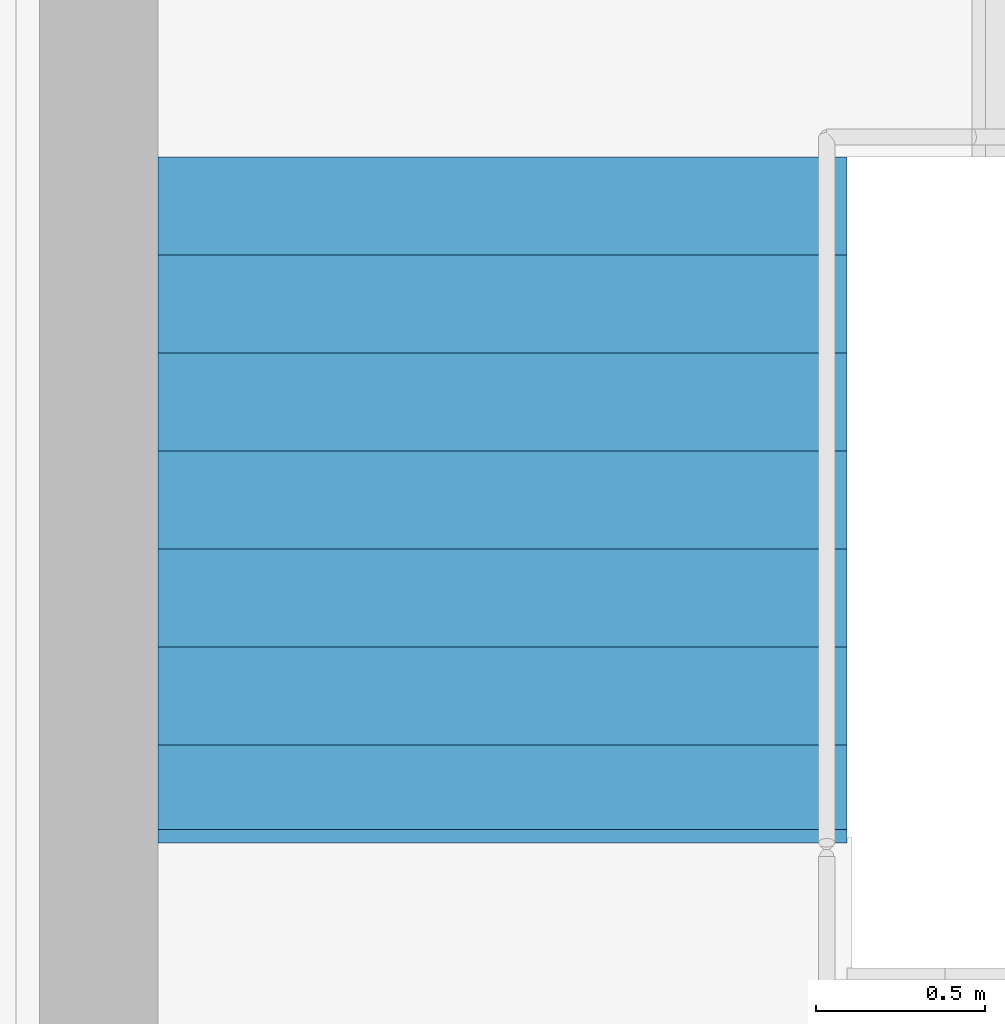
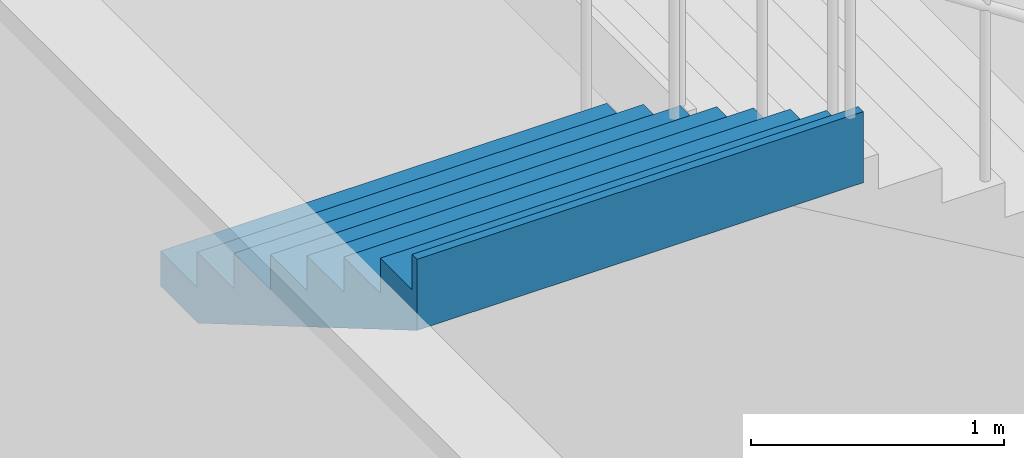
# One storey, part 54 of 74: 1 stair flight, 1 element without a shape of its own.
"""IFC4 building model written with IfcOpenShell, lengths in metres."""

from ifc_helpers import new_model, si_unit, direction, frame, origin, place, context, subcontext, project, spatial, triangles, material, type_object, element, aggregate, save


model = new_model("IFC4")

# Units and contexts
model_context = context("Model", 3, precision=1e-05, world=origin(), true_north=direction((0.0, 1.0)))
body_context = subcontext(model_context, "Body", "Model", "MODEL_VIEW")
ifc_project = project(units=[si_unit("LENGTHUNIT", "METRE"), si_unit("AREAUNIT", "SQUARE_METRE"), si_unit("VOLUMEUNIT", "CUBIC_METRE"), si_unit("PLANEANGLEUNIT", "RADIAN"), si_unit("MASSUNIT", "GRAM", prefix="KILO")], contexts=[model_context])

# Site, building, storey
site_placement = place(None, origin())
site = spatial("IfcSite", under=ifc_project, at=site_placement, CompositionType="ELEMENT")
building_placement = place(site_placement, origin())
building = spatial("IfcBuilding", under=site, at=building_placement, Name="Sillaruma Civic Art Gallery", CompositionType="ELEMENT")
storey_placement = place(building_placement, frame((0.0, 0.0, 5.43994140625)))
storey = spatial("IfcBuildingStorey", under=building, at=storey_placement, Name="L01", CompositionType="ELEMENT", Elevation=5.43994140625)

# Stair, stair flight
ifc_material = material(Name="Concrete H35 (35 MPa)", Category="concrete")
stair_type = type_object("IfcStairType", Name="STR-4F-32", PredefinedType="USERDEFINED", material=ifc_material)
stair_placement = place(storey_placement, origin())
stair = element("IfcStair", 1, at=stair_placement, inside=storey, type_object=stair_type, Name="Protected Exit Stair ST-04 (East Bar) (L01)", ObjectType="THREE_RETURN_STAIR", PredefinedType="USERDEFINED")
stair_flight_type = type_object("IfcStairFlightType", Name="SFL-STR-8", PredefinedType="STRAIGHT", material=ifc_material)
stair_flight_placement = place(storey_placement, frame((99.8798828125, 55.64990234375, 4.080078125), z_axis=(0.0, 0.0, 1.0), x_axis=(0.0, -1.0, 0.0)))
stair_flight = element("IfcStairFlight", 2, at=stair_flight_placement, type_object=stair_flight_type, Name="ST-04 flight 4", NumberOfRisers=8, NumberOfTreads=7, PredefinedType="STRAIGHT", RiserHeight=0.17, TreadLength=0.29, context=body_context, shape_type="Tessellation", body=[
    triangles([(0.0, -1.02001953125, 0.0), (0.29, -1.02001953125, 0.0), (0.296443, -1.02001953125, 0.0), (0.58, -1.02001953125, 0.166223), (0.87, -1.02001953125, 0.336223), (1.16, -1.02001953125, 0.506223), (1.45, -1.02001953125, 0.676223), (1.74, -1.02001953125, 0.846223), (1.990029, -1.02001953125, 0.992792), (2.030029, -1.02001953125, 1.01624), (2.030029, -1.02001953125, 1.36), (1.990029, -1.02001953125, 1.36), (1.990029, -1.02001953125, 1.19), (1.74, -1.02001953125, 1.19), (1.74, -1.02001953125, 1.02), (1.45, -1.02001953125, 1.02), (1.45, -1.02001953125, 0.85), (1.16, -1.02001953125, 0.85), (1.16, -1.02001953125, 0.68), (0.87, -1.02001953125, 0.68), (0.87, -1.02001953125, 0.51), (0.58, -1.02001953125, 0.51), (0.58, -1.02001953125, 0.34), (0.296443, -1.02001953125, 0.34), (0.29, -1.02001953125, 0.34), (0.29, -1.02001953125, 0.17), (0.0, -1.02001953125, 0.17), (0.0, -0.05, 0.0), (0.29, -0.05, 0.0), (0.296443, -0.05, 0.0), (0.58, -0.05, 0.166223), (0.87, -0.05, 0.336223), (1.16, -0.05, 0.506223), (1.45, -0.05, 0.676223), (1.74, -0.05, 0.846223), (1.990029, -0.05, 0.992792), (2.030029, -0.05, 1.01624), (2.030029, -0.05, 1.36), (1.990029, -0.05, 1.36), (1.990029, -0.05, 1.19), (1.74, -0.05, 1.19), (1.74, -0.05, 1.02), (1.45, -0.05, 1.02), (1.45, -0.05, 0.85), (1.16, -0.05, 0.85), (1.16, -0.05, 0.68), (0.87, -0.05, 0.68), (0.87, -0.05, 0.51), (0.58, -0.05, 0.51), (0.58, -0.05, 0.34), (0.296443, -0.05, 0.34), (0.29, -0.05, 0.34), (0.29, -0.05, 0.17), (0.0, -0.05, 0.17), (0.0, -0.0375, 0.0), (0.29, -0.0375, 0.0), (0.296443, -0.0375, 0.0), (0.58, -0.0375, 0.166223), (0.87, -0.0375, 0.336223), (1.16, -0.0375, 0.506223), (1.45, -0.0375, 0.676223), (1.74, -0.0375, 0.846223), (1.990029, -0.0375, 0.992792), (2.030029, -0.0375, 1.01624), (2.030029, -0.0375, 1.36), (1.990029, -0.0375, 1.36), (1.990029, -0.0375, 1.19), (1.74, -0.0375, 1.19), (1.74, -0.0375, 1.02), (1.45, -0.0375, 1.02), (1.45, -0.0375, 0.85), (1.16, -0.0375, 0.85), (1.16, -0.0375, 0.68), (0.87, -0.0375, 0.68), (0.87, -0.0375, 0.51), (0.58, -0.0375, 0.51), (0.58, -0.0375, 0.34), (0.296443, -0.0375, 0.34), (0.29, -0.0375, 0.34), (0.29, -0.0375, 0.17), (0.0, -0.0375, 0.17), (0.0, -0.025, 0.0), (0.29, -0.025, 0.0), (0.296443, -0.025, 0.0), (0.58, -0.025, 0.166223), (0.87, -0.025, 0.336223), (1.16, -0.025, 0.506223), (1.45, -0.025, 0.676223), (1.74, -0.025, 0.846223), (1.990029, -0.025, 0.992792), (2.030029, -0.025, 1.01624), (2.030029, -0.025, 1.36), (1.990029, -0.025, 1.36), (1.990029, -0.025, 1.19), (1.74, -0.025, 1.19), (1.74, -0.025, 1.02), (1.45, -0.025, 1.02), (1.45, -0.025, 0.85), (1.16, -0.025, 0.85), (1.16, -0.025, 0.68), (0.87, -0.025, 0.68), (0.87, -0.025, 0.51), (0.58, -0.025, 0.51), (0.58, -0.025, 0.34), (0.296443, -0.025, 0.34), (0.29, -0.025, 0.34), (0.29, -0.025, 0.17), (0.0, -0.025, 0.17), (0.0, -0.0125, 0.0), (0.29, -0.0125, 0.0), (0.296443, -0.0125, 0.0), (0.58, -0.0125, 0.166223), (0.87, -0.0125, 0.336223), (1.16, -0.0125, 0.506223), (1.45, -0.0125, 0.676223), (1.74, -0.0125, 0.846223), (1.990029, -0.0125, 0.992792), (2.030029, -0.0125, 1.01624), (2.030029, -0.0125, 1.36), (1.990029, -0.0125, 1.36), (1.990029, -0.0125, 1.19), (1.74, -0.0125, 1.19), (1.74, -0.0125, 1.02), (1.45, -0.0125, 1.02), (1.45, -0.0125, 0.85), (1.16, -0.0125, 0.85), (1.16, -0.0125, 0.68), (0.87, -0.0125, 0.68), (0.87, -0.0125, 0.51), (0.58, -0.0125, 0.51), (0.58, -0.0125, 0.34), (0.296443, -0.0125, 0.34), (0.29, -0.0125, 0.34), (0.29, -0.0125, 0.17), (0.0, -0.0125, 0.17), (0.0, 0.0, 0.0), (0.29, 0.0, 0.0), (0.296443, 0.0, 0.0), (0.58, 0.0, 0.166223), (0.87, 0.0, 0.336223), (1.16, 0.0, 0.506223), (1.45, 0.0, 0.676223), (1.74, 0.0, 0.846223), (1.990029, 0.0, 0.992792), (2.030029, 0.0, 1.01624), (2.030029, 0.0, 1.36), (1.990029, 0.0, 1.36), (1.990029, 0.0, 1.19), (1.74, 0.0, 1.19), (1.74, 0.0, 1.02), (1.45, 0.0, 1.02), (1.45, 0.0, 0.85), (1.16, 0.0, 0.85), (1.16, 0.0, 0.68), (0.87, 0.0, 0.68), (0.87, 0.0, 0.51), (0.58, 0.0, 0.51), (0.58, 0.0, 0.34), (0.296443, 0.0, 0.34), (0.29, 0.0, 0.34), (0.29, 0.0, 0.17), (0.0, 0.0, 0.17), (0.0, 0.0125, 0.0), (0.29, 0.0125, 0.0), (0.296443, 0.0125, 0.0), (0.58, 0.0125, 0.166223), (0.87, 0.0125, 0.336223), (1.16, 0.0125, 0.506223), (1.45, 0.0125, 0.676223), (1.74, 0.0125, 0.846223), (1.990029, 0.0125, 0.992792), (2.030029, 0.0125, 1.01624), (2.030029, 0.0125, 1.36), (1.990029, 0.0125, 1.36), (1.990029, 0.0125, 1.19), (1.74, 0.0125, 1.19), (1.74, 0.0125, 1.02), (1.45, 0.0125, 1.02), (1.45, 0.0125, 0.85), (1.16, 0.0125, 0.85), (1.16, 0.0125, 0.68), (0.87, 0.0125, 0.68), (0.87, 0.0125, 0.51), (0.58, 0.0125, 0.51), (0.58, 0.0125, 0.34), (0.296443, 0.0125, 0.34), (0.29, 0.0125, 0.34), (0.29, 0.0125, 0.17), (0.0, 0.0125, 0.17), (0.0, 0.025, 0.0), (0.29, 0.025, 0.0), (0.296443, 0.025, 0.0), (0.58, 0.025, 0.166223), (0.87, 0.025, 0.336223), (1.16, 0.025, 0.506223), (1.45, 0.025, 0.676223), (1.74, 0.025, 0.846223), (1.990029, 0.025, 0.992792), (2.030029, 0.025, 1.01624), (2.030029, 0.025, 1.36), (1.990029, 0.025, 1.36), (1.990029, 0.025, 1.19), (1.74, 0.025, 1.19), (1.74, 0.025, 1.02), (1.45, 0.025, 1.02), (1.45, 0.025, 0.85), (1.16, 0.025, 0.85), (1.16, 0.025, 0.68), (0.87, 0.025, 0.68), (0.87, 0.025, 0.51), (0.58, 0.025, 0.51), (0.58, 0.025, 0.34), (0.296443, 0.025, 0.34), (0.29, 0.025, 0.34), (0.29, 0.025, 0.17), (0.0, 0.025, 0.17), (0.0, 0.0375, 0.0), (0.29, 0.0375, 0.0), (0.296443, 0.0375, 0.0), (0.58, 0.0375, 0.166223), (0.87, 0.0375, 0.336223), (1.16, 0.0375, 0.506223), (1.45, 0.0375, 0.676223), (1.74, 0.0375, 0.846223), (1.990029, 0.0375, 0.992792), (2.030029, 0.0375, 1.01624), (2.030029, 0.0375, 1.36), (1.990029, 0.0375, 1.36), (1.990029, 0.0375, 1.19), (1.74, 0.0375, 1.19), (1.74, 0.0375, 1.02), (1.45, 0.0375, 1.02), (1.45, 0.0375, 0.85), (1.16, 0.0375, 0.85), (1.16, 0.0375, 0.68), (0.87, 0.0375, 0.68), (0.87, 0.0375, 0.51), (0.58, 0.0375, 0.51), (0.58, 0.0375, 0.34), (0.296443, 0.0375, 0.34), (0.29, 0.0375, 0.34), (0.29, 0.0375, 0.17), (0.0, 0.0375, 0.17), (0.0, 0.05, 0.0), (0.29, 0.05, 0.0), (0.296443, 0.05, 0.0), (0.58, 0.05, 0.166223), (0.87, 0.05, 0.336223), (1.16, 0.05, 0.506223), (1.45, 0.05, 0.676223), (1.74, 0.05, 0.846223), (1.990029, 0.05, 0.992792), (2.030029, 0.05, 1.01624), (2.030029, 0.05, 1.36), (1.990029, 0.05, 1.36), (1.990029, 0.05, 1.19), (1.74, 0.05, 1.19), (1.74, 0.05, 1.02), (1.45, 0.05, 1.02), (1.45, 0.05, 0.85), (1.16, 0.05, 0.85), (1.16, 0.05, 0.68), (0.87, 0.05, 0.68), (0.87, 0.05, 0.51), (0.58, 0.05, 0.51), (0.58, 0.05, 0.34), (0.296443, 0.05, 0.34), (0.29, 0.05, 0.34), (0.29, 0.05, 0.17), (0.0, 0.05, 0.17), (0.0, 1.02001953125, 0.0), (0.29, 1.02001953125, 0.0), (0.296443, 1.02001953125, 0.0), (0.58, 1.02001953125, 0.166223), (0.87, 1.02001953125, 0.336223), (1.16, 1.02001953125, 0.506223), (1.45, 1.02001953125, 0.676223), (1.74, 1.02001953125, 0.846223), (1.990029, 1.02001953125, 0.992792), (2.030029, 1.02001953125, 1.01624), (2.030029, 1.02001953125, 1.36), (1.990029, 1.02001953125, 1.36), (1.990029, 1.02001953125, 1.19), (1.74, 1.02001953125, 1.19), (1.74, 1.02001953125, 1.02), (1.45, 1.02001953125, 1.02), (1.45, 1.02001953125, 0.85), (1.16, 1.02001953125, 0.85), (1.16, 1.02001953125, 0.68), (0.87, 1.02001953125, 0.68), (0.87, 1.02001953125, 0.51), (0.58, 1.02001953125, 0.51), (0.58, 1.02001953125, 0.34), (0.296443, 1.02001953125, 0.34), (0.29, 1.02001953125, 0.34), (0.29, 1.02001953125, 0.17), (0.0, 1.02001953125, 0.17)], [[1, 2, 26], [1, 26, 27], [2, 3, 24], [2, 24, 26], [26, 24, 25], [3, 4, 23], [3, 23, 24], [4, 5, 21], [4, 21, 23], [23, 21, 22], [5, 6, 19], [5, 19, 21], [21, 19, 20], [6, 7, 17], [6, 17, 19], [19, 17, 18], [7, 8, 15], [7, 15, 17], [17, 15, 16], [8, 9, 13], [8, 13, 15], [15, 13, 14], [9, 10, 11], [9, 11, 13], [13, 11, 12], [296, 272, 271], [297, 296, 271], [294, 273, 272], [296, 294, 272], [295, 294, 296], [293, 274, 273], [294, 293, 273], [291, 275, 274], [293, 291, 274], [292, 291, 293], [289, 276, 275], [291, 289, 275], [290, 289, 291], [287, 277, 276], [289, 287, 276], [288, 287, 289], [285, 278, 277], [287, 285, 277], [286, 285, 287], [283, 279, 278], [285, 283, 278], [284, 283, 285], [281, 280, 279], [283, 281, 279], [282, 281, 283], [2, 1, 28], [2, 28, 29], [3, 2, 29], [3, 29, 30], [4, 3, 30], [4, 30, 31], [5, 4, 31], [5, 31, 32], [6, 5, 32], [6, 32, 33], [7, 6, 33], [7, 33, 34], [8, 7, 34], [8, 34, 35], [9, 8, 35], [9, 35, 36], [10, 9, 36], [10, 36, 37], [11, 10, 37], [11, 37, 38], [12, 11, 38], [12, 38, 39], [13, 12, 39], [13, 39, 40], [14, 13, 40], [14, 40, 41], [15, 14, 41], [15, 41, 42], [16, 15, 42], [16, 42, 43], [17, 16, 43], [17, 43, 44], [18, 17, 44], [18, 44, 45], [19, 18, 45], [19, 45, 46], [20, 19, 46], [20, 46, 47], [21, 20, 47], [21, 47, 48], [22, 21, 48], [22, 48, 49], [23, 22, 49], [23, 49, 50], [24, 23, 50], [24, 50, 51], [25, 24, 51], [25, 51, 52], [26, 25, 52], [26, 52, 53], [27, 26, 53], [27, 53, 54], [1, 27, 54], [1, 54, 28], [29, 28, 55], [29, 55, 56], [30, 29, 56], [30, 56, 57], [31, 30, 57], [31, 57, 58], [32, 31, 58], [32, 58, 59], [33, 32, 59], [33, 59, 60], [34, 33, 60], [34, 60, 61], [35, 34, 61], [35, 61, 62], [36, 35, 62], [36, 62, 63], [37, 36, 63], [37, 63, 64], [38, 37, 64], [38, 64, 65], [39, 38, 65], [39, 65, 66], [40, 39, 66], [40, 66, 67], [41, 40, 67], [41, 67, 68], [42, 41, 68], [42, 68, 69], [43, 42, 69], [43, 69, 70], [44, 43, 70], [44, 70, 71], [45, 44, 71], [45, 71, 72], [46, 45, 72], [46, 72, 73], [47, 46, 73], [47, 73, 74], [48, 47, 74], [48, 74, 75], [49, 48, 75], [49, 75, 76], [50, 49, 76], [50, 76, 77], [51, 50, 77], [51, 77, 78], [52, 51, 78], [52, 78, 79], [53, 52, 79], [53, 79, 80], [54, 53, 80], [54, 80, 81], [28, 54, 81], [28, 81, 55], [56, 55, 82], [56, 82, 83], [57, 56, 83], [57, 83, 84], [58, 57, 84], [58, 84, 85], [59, 58, 85], [59, 85, 86], [60, 59, 86], [60, 86, 87], [61, 60, 87], [61, 87, 88], [62, 61, 88], [62, 88, 89], [63, 62, 89], [63, 89, 90], [64, 63, 90], [64, 90, 91], [65, 64, 91], [65, 91, 92], [66, 65, 92], [66, 92, 93], [67, 66, 93], [67, 93, 94], [68, 67, 94], [68, 94, 95], [69, 68, 95], [69, 95, 96], [70, 69, 96], [70, 96, 97], [71, 70, 97], [71, 97, 98], [72, 71, 98], [72, 98, 99], [73, 72, 99], [73, 99, 100], [74, 73, 100], [74, 100, 101], [75, 74, 101], [75, 101, 102], [76, 75, 102], [76, 102, 103], [77, 76, 103], [77, 103, 104], [78, 77, 104], [78, 104, 105], [79, 78, 105], [79, 105, 106], [80, 79, 106], [80, 106, 107], [81, 80, 107], [81, 107, 108], [55, 81, 108], [55, 108, 82], [83, 82, 109], [83, 109, 110], [84, 83, 110], [84, 110, 111], [85, 84, 111], [85, 111, 112], [86, 85, 112], [86, 112, 113], [87, 86, 113], [87, 113, 114], [88, 87, 114], [88, 114, 115], [89, 88, 115], [89, 115, 116], [90, 89, 116], [90, 116, 117], [91, 90, 117], [91, 117, 118], [92, 91, 118], [92, 118, 119], [93, 92, 119], [93, 119, 120], [94, 93, 120], [94, 120, 121], [95, 94, 121], [95, 121, 122], [96, 95, 122], [96, 122, 123], [97, 96, 123], [97, 123, 124], [98, 97, 124], [98, 124, 125], [99, 98, 125], [99, 125, 126], [100, 99, 126], [100, 126, 127], [101, 100, 127], [101, 127, 128], [102, 101, 128], [102, 128, 129], [103, 102, 129], [103, 129, 130], [104, 103, 130], [104, 130, 131], [105, 104, 131], [105, 131, 132], [106, 105, 132], [106, 132, 133], [107, 106, 133], [107, 133, 134], [108, 107, 134], [108, 134, 135], [82, 108, 135], [82, 135, 109], [110, 109, 136], [110, 136, 137], [111, 110, 137], [111, 137, 138], [112, 111, 138], [112, 138, 139], [113, 112, 139], [113, 139, 140], [114, 113, 140], [114, 140, 141], [115, 114, 141], [115, 141, 142], [116, 115, 142], [116, 142, 143], [117, 116, 143], [117, 143, 144], [118, 117, 144], [118, 144, 145], [119, 118, 145], [119, 145, 146], [120, 119, 146], [120, 146, 147], [121, 120, 147], [121, 147, 148], [122, 121, 148], [122, 148, 149], [123, 122, 149], [123, 149, 150], [124, 123, 150], [124, 150, 151], [125, 124, 151], [125, 151, 152], [126, 125, 152], [126, 152, 153], [127, 126, 153], [127, 153, 154], [128, 127, 154], [128, 154, 155], [129, 128, 155], [129, 155, 156], [130, 129, 156], [130, 156, 157], [131, 130, 157], [131, 157, 158], [132, 131, 158], [132, 158, 159], [133, 132, 159], [133, 159, 160], [134, 133, 160], [134, 160, 161], [135, 134, 161], [135, 161, 162], [109, 135, 162], [109, 162, 136], [137, 136, 163], [137, 163, 164], [138, 137, 164], [138, 164, 165], [139, 138, 165], [139, 165, 166], [140, 139, 166], [140, 166, 167], [141, 140, 167], [141, 167, 168], [142, 141, 168], [142, 168, 169], [143, 142, 169], [143, 169, 170], [144, 143, 170], [144, 170, 171], [145, 144, 171], [145, 171, 172], [146, 145, 172], [146, 172, 173], [147, 146, 173], [147, 173, 174], [148, 147, 174], [148, 174, 175], [149, 148, 175], [149, 175, 176], [150, 149, 176], [150, 176, 177], [151, 150, 177], [151, 177, 178], [152, 151, 178], [152, 178, 179], [153, 152, 179], [153, 179, 180], [154, 153, 180], [154, 180, 181], [155, 154, 181], [155, 181, 182], [156, 155, 182], [156, 182, 183], [157, 156, 183], [157, 183, 184], [158, 157, 184], [158, 184, 185], [159, 158, 185], [159, 185, 186], [160, 159, 186], [160, 186, 187], [161, 160, 187], [161, 187, 188], [162, 161, 188], [162, 188, 189], [136, 162, 189], [136, 189, 163], [164, 163, 190], [164, 190, 191], [165, 164, 191], [165, 191, 192], [166, 165, 192], [166, 192, 193], [167, 166, 193], [167, 193, 194], [168, 167, 194], [168, 194, 195], [169, 168, 195], [169, 195, 196], [170, 169, 196], [170, 196, 197], [171, 170, 197], [171, 197, 198], [172, 171, 198], [172, 198, 199], [173, 172, 199], [173, 199, 200], [174, 173, 200], [174, 200, 201], [175, 174, 201], [175, 201, 202], [176, 175, 202], [176, 202, 203], [177, 176, 203], [177, 203, 204], [178, 177, 204], [178, 204, 205], [179, 178, 205], [179, 205, 206], [180, 179, 206], [180, 206, 207], [181, 180, 207], [181, 207, 208], [182, 181, 208], [182, 208, 209], [183, 182, 209], [183, 209, 210], [184, 183, 210], [184, 210, 211], [185, 184, 211], [185, 211, 212], [186, 185, 212], [186, 212, 213], [187, 186, 213], [187, 213, 214], [188, 187, 214], [188, 214, 215], [189, 188, 215], [189, 215, 216], [163, 189, 216], [163, 216, 190], [191, 190, 217], [191, 217, 218], [192, 191, 218], [192, 218, 219], [193, 192, 219], [193, 219, 220], [194, 193, 220], [194, 220, 221], [195, 194, 221], [195, 221, 222], [196, 195, 222], [196, 222, 223], [197, 196, 223], [197, 223, 224], [198, 197, 224], [198, 224, 225], [199, 198, 225], [199, 225, 226], [200, 199, 226], [200, 226, 227], [201, 200, 227], [201, 227, 228], [202, 201, 228], [202, 228, 229], [203, 202, 229], [203, 229, 230], [204, 203, 230], [204, 230, 231], [205, 204, 231], [205, 231, 232], [206, 205, 232], [206, 232, 233], [207, 206, 233], [207, 233, 234], [208, 207, 234], [208, 234, 235], [209, 208, 235], [209, 235, 236], [210, 209, 236], [210, 236, 237], [211, 210, 237], [211, 237, 238], [212, 211, 238], [212, 238, 239], [213, 212, 239], [213, 239, 240], [214, 213, 240], [214, 240, 241], [215, 214, 241], [215, 241, 242], [216, 215, 242], [216, 242, 243], [190, 216, 243], [190, 243, 217], [218, 217, 244], [218, 244, 245], [219, 218, 245], [219, 245, 246], [220, 219, 246], [220, 246, 247], [221, 220, 247], [221, 247, 248], [222, 221, 248], [222, 248, 249], [223, 222, 249], [223, 249, 250], [224, 223, 250], [224, 250, 251], [225, 224, 251], [225, 251, 252], [226, 225, 252], [226, 252, 253], [227, 226, 253], [227, 253, 254], [228, 227, 254], [228, 254, 255], [229, 228, 255], [229, 255, 256], [230, 229, 256], [230, 256, 257], [231, 230, 257], [231, 257, 258], [232, 231, 258], [232, 258, 259], [233, 232, 259], [233, 259, 260], [234, 233, 260], [234, 260, 261], [235, 234, 261], [235, 261, 262], [236, 235, 262], [236, 262, 263], [237, 236, 263], [237, 263, 264], [238, 237, 264], [238, 264, 265], [239, 238, 265], [239, 265, 266], [240, 239, 266], [240, 266, 267], [241, 240, 267], [241, 267, 268], [242, 241, 268], [242, 268, 269], [243, 242, 269], [243, 269, 270], [217, 243, 270], [217, 270, 244], [245, 244, 271], [245, 271, 272], [246, 245, 272], [246, 272, 273], [247, 246, 273], [247, 273, 274], [248, 247, 274], [248, 274, 275], [249, 248, 275], [249, 275, 276], [250, 249, 276], [250, 276, 277], [251, 250, 277], [251, 277, 278], [252, 251, 278], [252, 278, 279], [253, 252, 279], [253, 279, 280], [254, 253, 280], [254, 280, 281], [255, 254, 281], [255, 281, 282], [256, 255, 282], [256, 282, 283], [257, 256, 283], [257, 283, 284], [258, 257, 284], [258, 284, 285], [259, 258, 285], [259, 285, 286], [260, 259, 286], [260, 286, 287], [261, 260, 287], [261, 287, 288], [262, 261, 288], [262, 288, 289], [263, 262, 289], [263, 289, 290], [264, 263, 290], [264, 290, 291], [265, 264, 291], [265, 291, 292], [266, 265, 292], [266, 292, 293], [267, 266, 293], [267, 293, 294], [268, 267, 294], [268, 294, 295], [269, 268, 295], [269, 295, 296], [270, 269, 296], [270, 296, 297], [244, 270, 297], [244, 297, 271]], closed=True),
])
aggregate(stair, [stair_flight])

save(model, "model.ifc")
